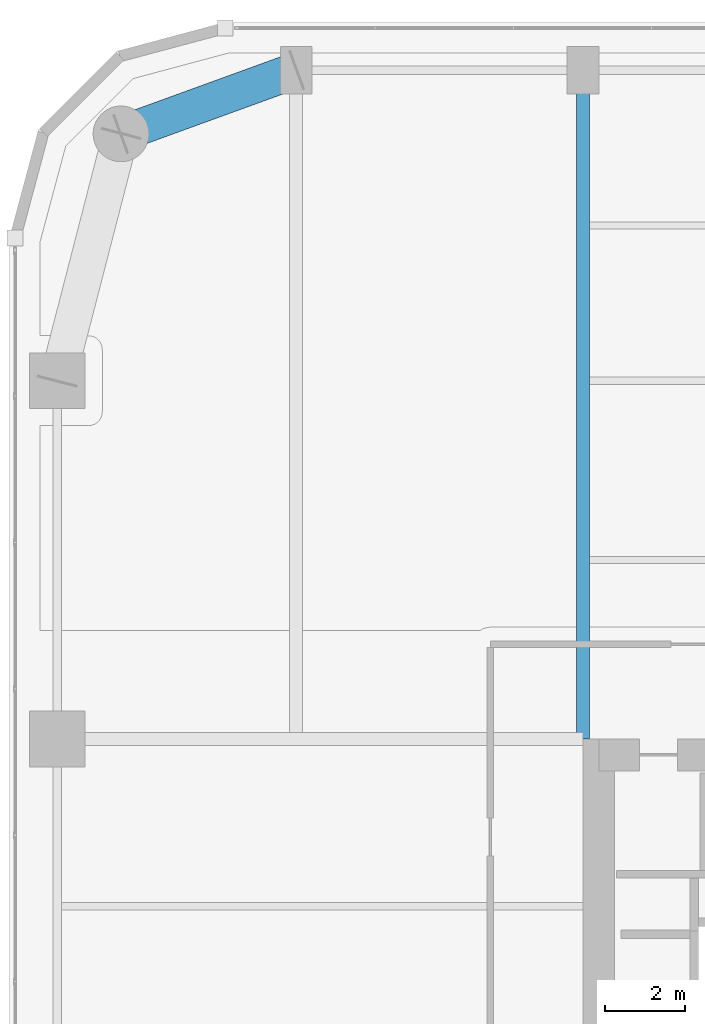
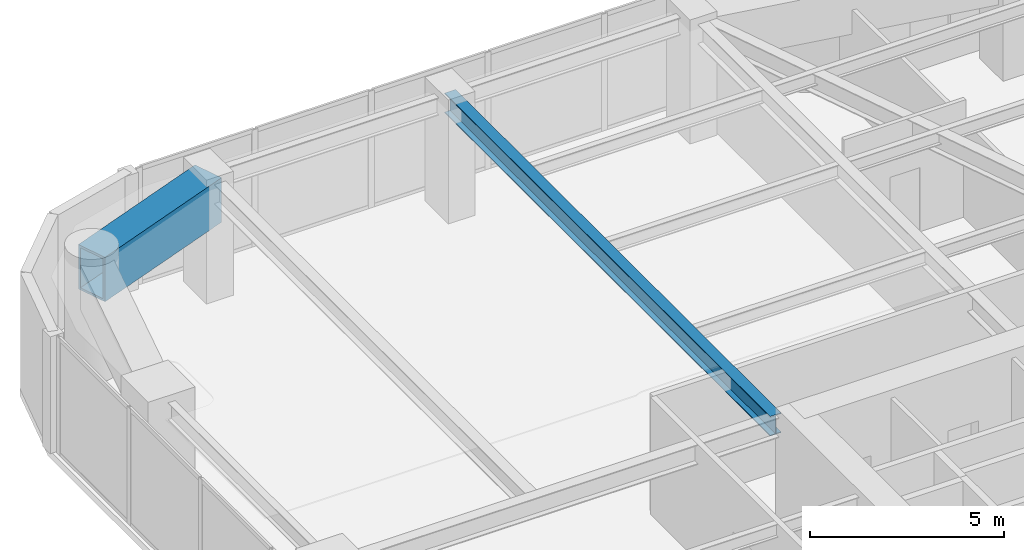
# One storey, part 16 of 31: 2 beams.
"""IFC4 building model written with IfcOpenShell, lengths in metres."""

from ifc_helpers import new_model, si_unit, direction, frame, origin, origin_2d, place, context, subcontext, project, spatial, hollow_rectangle, i_section, extrude, material, material_profile, profile_set, type_object, element, save


model = new_model("IFC4")

# Units and contexts
model_context = context("Model", 3, precision=1e-05, world=origin(), true_north=direction((0.0, 1.0)))
body_context = subcontext(model_context, "Body", "Model", "MODEL_VIEW")
ifc_project = project(units=[si_unit("LENGTHUNIT", "METRE"), si_unit("AREAUNIT", "SQUARE_METRE"), si_unit("VOLUMEUNIT", "CUBIC_METRE"), si_unit("PLANEANGLEUNIT", "RADIAN"), si_unit("MASSUNIT", "GRAM", prefix="KILO")], contexts=[model_context])

# Site, building, storey
site_placement = place(None, origin())
site = spatial("IfcSite", under=ifc_project, at=site_placement, CompositionType="ELEMENT")
building_placement = place(site_placement, origin())
building = spatial("IfcBuilding", under=site, at=building_placement, Name="Kiyonajd Concourse Tower", CompositionType="ELEMENT")
storey_placement = place(building_placement, frame((0.0, 0.0, 158.39990234375)))
storey = spatial("IfcBuildingStorey", under=building, at=storey_placement, Name="L40", CompositionType="ELEMENT", Elevation=158.39990234375)

# Beams
ifc_material_1 = material(Name="Steel ASTM A992 Grade 50", Category="steel")
ifc_material_profile_1 = material_profile(ifc_material_1, i_section(OverallWidth=0.326904296875, OverallDepth=0.6220703125, WebThickness=0.015380859375, FlangeThickness=0.0244140625, at=origin_2d()), Name="W610X195")
ifc_profile_set_1 = profile_set([ifc_material_profile_1], Name="Steel ASTM A992 Grade 50")
beam_type_1 = type_object("IfcBeamType", Name="BM-TWR-610A", PredefinedType="BEAM", material=ifc_profile_set_1)
beam_1_placement = place(storey_placement, frame((32.39990234375, 44.39990234375, 3.369140625), z_axis=(0.0, 1.0, 0.0), x_axis=(-1.0, 0.0, 0.0)))
element("IfcBeam", 1, at=beam_1_placement, inside=storey, type_object=beam_type_1, Name="L40 North Lease Girder", PredefinedType="BEAM", context=body_context, shape_type="SweptSolid", body=[
    extrude(i_section(OverallWidth=0.326904296875, OverallDepth=0.6220703125, WebThickness=0.015380859375, FlangeThickness=0.0244140625, at=origin_2d()), origin(), (0.0, 0.0, 1.0), 16.800048828125),
])
ifc_material_2 = material(Name="Steel ASTM A572 Grade 50", Category="steel")
ifc_material_profile_2 = material_profile(ifc_material_2, hollow_rectangle(XDim=0.89990234375, YDim=1.39990234375, WallThickness=0.070068359375, at=origin_2d()), Name="BOX-1400x900x70")
ifc_profile_set_2 = profile_set([ifc_material_profile_2], Name="Steel ASTM A572 Grade 50")
beam_type_2 = type_object("IfcBeamType", Name="BM-XFER-1400", PredefinedType="BEAM", material=ifc_profile_set_2)
beam_2_placement = place(storey_placement, frame((25.199951171875, 61.199951171875, 2.97998046875), z_axis=(-0.939801036019, -0.341722127901, 0.0), x_axis=(0.341722127901, -0.939801036019, 0.0)))
element("IfcBeam", 2, at=beam_2_placement, inside=storey, type_object=beam_type_2, Name="L40 Perimeter Bundled Tube Spandrel", PredefinedType="BEAM", context=body_context, shape_type="SweptSolid", body=[
    extrude(hollow_rectangle(XDim=0.89990234375, YDim=1.39990234375, WallThickness=0.070068359375, at=origin_2d()), origin(), (0.0, 0.0, 1.0), 4.681640625),
])

save(model, "model.ifc")
